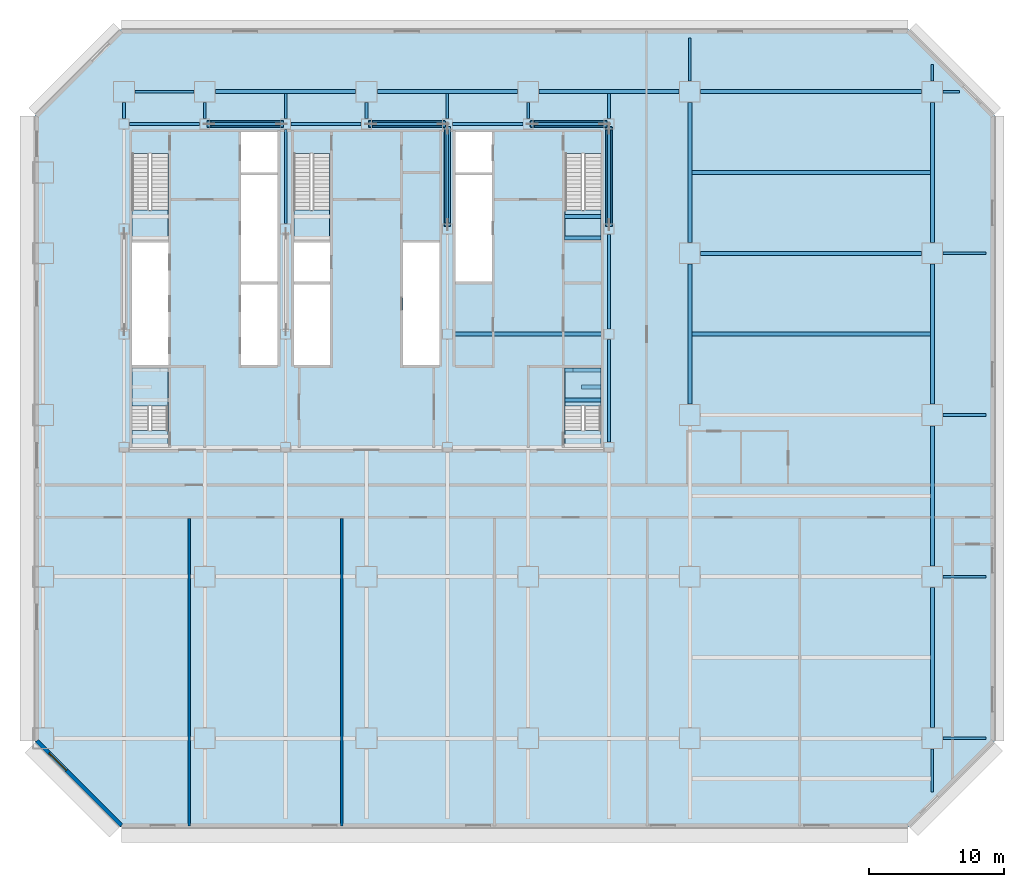
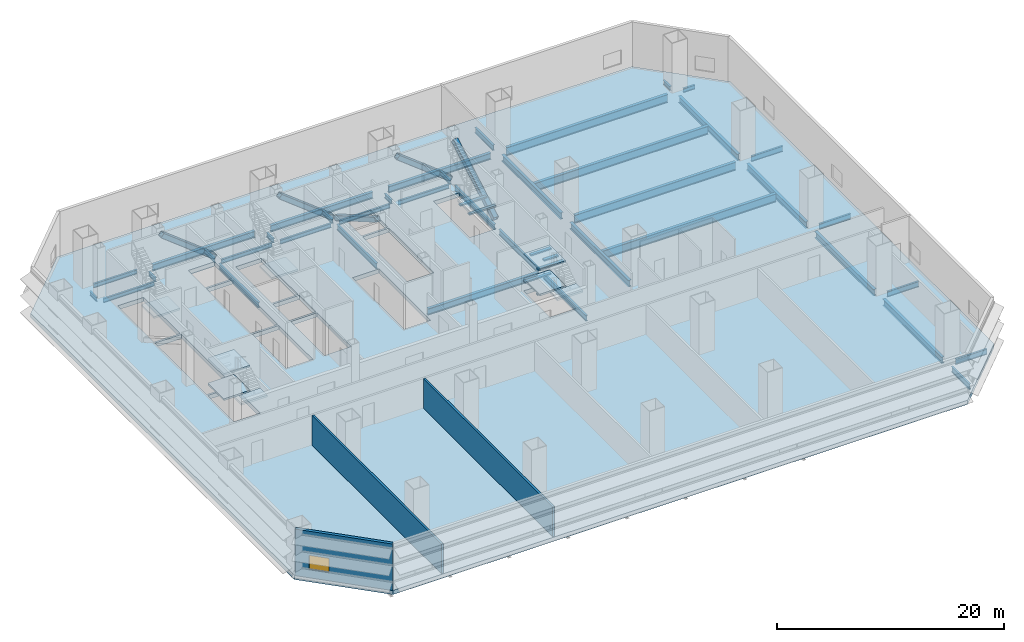
# One storey, part 2 of 10: 48 beams, 10 slabs, 5 members, 3 walls, 1 window, 1 opening, 5 elements without a shape of their own.
"""IFC4 building model written with IfcOpenShell, lengths in metres."""

from ifc_helpers import new_model, si_unit, direction, frame, frame_2d, origin, origin_2d, place, context, subcontext, project, spatial, polyline, rectangle, hollow_rectangle, i_section, outline, extrude, material, layer, layer_set, material_profile, profile_set, type_object, element, fill, aggregate, save


model = new_model("IFC4")

# Units and contexts
model_context = context("Model", 3, precision=1e-05, world=origin(), true_north=direction((0.0, 1.0)))
body_context = subcontext(model_context, "Body", "Model", "MODEL_VIEW")
ifc_project = project(units=[si_unit("LENGTHUNIT", "METRE"), si_unit("AREAUNIT", "SQUARE_METRE"), si_unit("VOLUMEUNIT", "CUBIC_METRE"), si_unit("PLANEANGLEUNIT", "RADIAN"), si_unit("MASSUNIT", "GRAM", prefix="KILO")], contexts=[model_context])

# Site, building, storey
site_placement = place(None, origin())
site = spatial("IfcSite", under=ifc_project, at=site_placement, CompositionType="ELEMENT")
building_placement = place(site_placement, origin())
building = spatial("IfcBuilding", under=site, at=building_placement, Name="Sorahane Residences", CompositionType="ELEMENT")
storey_placement = place(building_placement, frame((0.0, 0.0, 15.0)))
storey = spatial("IfcBuildingStorey", under=building, at=storey_placement, Name="L01", CompositionType="ELEMENT", Elevation=15.0)

# Members
ifc_material_1 = material(Name="Steel Q355B", Category="steel")
ifc_material_profile_1 = material_profile(ifc_material_1, hollow_rectangle(XDim=0.5, YDim=0.5, WallThickness=0.02490234375, InnerFilletRadius=0.012451171875, OuterFilletRadius=0.03759765625, at=origin_2d()), Name="RHS 500x500x25")
ifc_profile_set_1 = profile_set([ifc_material_profile_1], Name="Steel Q355B")
member_type = type_object("IfcMemberType", Name="Core brace RHS 500x500x25 Q355B", PredefinedType="BRACE", material=ifc_profile_set_1)
for number, where, z_axis, x_axis, name in (
    (1, (17.692138671875, 45.60009765625, 0.17822265625), (-0.788937896435, 0.0, 0.614472941283), (0.0, -1.0, 0.0), "Core brace L01 y45.6-2"),
    (2, (29.692138671875, 45.60009765625, 0.17822265625), (-0.788937896435, 0.0, 0.614472941283), (0.0, -1.0, 0.0), "Core brace L01 y45.6-4"),
    (3, (41.692138671875, 45.60009765625, 0.17822265625), (-0.788937896435, 0.0, 0.614472941283), (0.0, -1.0, 0.0), "Core brace L01 y45.6-6"),
):
    element("IfcMember", number, at=place(storey_placement, frame(where, z_axis=z_axis, x_axis=x_axis)), inside=storey, type_object=member_type, Name=name, PredefinedType="BRACE", context=body_context, shape_type="SweptSolid", body=[
        extrude(hollow_rectangle(XDim=0.5, YDim=0.5, WallThickness=0.02490234375, InnerFilletRadius=0.012451171875, OuterFilletRadius=0.03759765625, at=origin_2d()), origin(), (0.0, 0.0, 1.0), 6.82470703125),
    ])
for number, where, z_axis, x_axis, name in (
    (4, (42.0, 38.125, 0.20654296875), (0.0, 0.865562498481, 0.500800919751), (-1.0, 0.0, 0.0), "Core brace L01 x42-3"),
    (5, (30.0, 45.275146484375, 0.20654296875), (0.0, -0.865562498481, 0.500800919751), (1.0, 0.0, 0.0), "Core brace L01 x30-2"),
):
    element("IfcMember", number, at=place(storey_placement, frame(where, z_axis=z_axis, x_axis=x_axis)), inside=storey, type_object=member_type, Name=name, PredefinedType="BRACE", context=body_context, shape_type="SweptSolid", body=[
        extrude(hollow_rectangle(XDim=0.5, YDim=0.5, WallThickness=0.02490234375, InnerFilletRadius=0.012451171875, OuterFilletRadius=0.03759765625, at=origin_2d()), origin(), (0.0, 0.0, 1.0), 8.2607421875),
    ])

# Beams
ifc_material_2 = material(Name="Concrete C40", Category="concrete")
ifc_material_profile_2 = material_profile(ifc_material_2, rectangle(XDim=0.300048828125, YDim=0.139892578125, at=origin_2d()), Name="300x140")
ifc_profile_set_2 = profile_set([ifc_material_profile_2], Name="Concrete C40")
beam_type_1 = type_object("IfcBeamType", Name="RC landing beam 300 x 140 Concrete C40", PredefinedType="BEAM", material=ifc_profile_set_2)
for number, where, z_axis, x_axis, name in (
    (6, (38.699951171875, 37.14990234375, 2.429931640625), (1.0, 0.0, 0.0), (0.0, 1.0, 0.0), "Landing beam"),
    (7, (38.699951171875, 38.75, 2.429931640625), (1.0, 0.0, 0.0), (0.0, 1.0, 0.0), "Landing beam"),
    (8, (38.699951171875, 25.1201171875, 1.080078125), (1.0, 0.0, 0.0), (0.0, 1.0, 0.0), "Landing beam"),
    (9, (38.699951171875, 27.35009765625, 1.080078125), (1.0, 0.0, 0.0), (0.0, 1.0, 0.0), "Landing beam"),
):
    element("IfcBeam", number, at=place(storey_placement, frame(where, z_axis=z_axis, x_axis=x_axis)), inside=storey, type_object=beam_type_1, Name=name, PredefinedType="BEAM", context=body_context, shape_type="SweptSolid", body=[
        extrude(rectangle(XDim=0.300048828125, YDim=0.139892578125, at=origin_2d()), origin(), (0.0, 0.0, 1.0), 2.699951171875),
    ])
beam_1_placement = place(storey_placement, frame((41.39990234375, 25.1201171875, 3.780029296875), z_axis=(-1.0, 0.0, 0.0), x_axis=(0.0, -1.0, 0.0)))
element("IfcBeam", 10, at=beam_1_placement, inside=storey, type_object=beam_type_1, Name="Landing beam", PredefinedType="BEAM", context=body_context, shape_type="SweptSolid", body=[
    extrude(rectangle(XDim=0.300048828125, YDim=0.139892578125, at=origin_2d()), origin(), (0.0, 0.0, 1.0), 2.64990234375),
])
beam_2_placement = place(storey_placement, frame((41.39990234375, 27.35009765625, 3.780029296875), z_axis=(-1.0, 0.0, 0.0), x_axis=(0.0, -1.0, 0.0)))
element("IfcBeam", 11, at=beam_2_placement, inside=storey, type_object=beam_type_1, Name="Landing beam", PredefinedType="BEAM", context=body_context, shape_type="SweptSolid", body=[
    extrude(rectangle(XDim=0.300048828125, YDim=0.139892578125, at=origin_2d()), origin(), (0.0, 0.0, 1.0), 2.06689453125),
])
beam_3_placement = place(storey_placement, frame((41.39990234375, 26.0849609375, 3.780029296875), z_axis=(-1.0, 0.0, 0.0), x_axis=(0.0, -1.0, 0.0)))
element("IfcBeam", 12, at=beam_3_placement, inside=storey, type_object=beam_type_1, Name="Landing beam", PredefinedType="BEAM", context=body_context, shape_type="SweptSolid", body=[
    extrude(rectangle(XDim=0.300048828125, YDim=0.139892578125, at=origin_2d()), origin(), (0.0, 0.0, 1.0), 1.45751953125),
])
ifc_material_3 = material(Name="Steel Q355B", Category="steel")
ifc_material_profile_3 = material_profile(ifc_material_3, i_section(OverallWidth=0.199951171875, OverallDepth=0.449951171875, WebThickness=0.009033203125, FlangeThickness=0.013916015625, FilletRadius=0.02001953125, at=origin_2d()), Name="HN 450x200x9x14")
ifc_profile_set_3 = profile_set([ifc_material_profile_3], Name="Steel Q355B")
beam_type_2 = type_object("IfcBeamType", Name="Steel floor beam HN 450x200x9x14 Q355B", PredefinedType="BEAM", material=ifc_profile_set_3)
beam_4_placement = place(storey_placement, frame((6.800048828125, 48.0, -0.675048828125), z_axis=(1.0, 0.0, 0.0), x_axis=(0.0, 1.0, 0.0)))
element("IfcBeam", 13, at=beam_4_placement, inside=storey, type_object=beam_type_2, Name="Beam L01 016", PredefinedType="BEAM", context=body_context, shape_type="SweptSolid", body=[
    extrude(i_section(OverallWidth=0.199951171875, OverallDepth=0.449951171875, WebThickness=0.009033203125, FlangeThickness=0.013916015625, FilletRadius=0.02001953125, at=origin_2d()), origin(), (0.0, 0.0, 1.0), 4.39990234375),
])
beam_5_placement = place(storey_placement, frame((66.800048828125, 48.0, -0.675048828125), z_axis=(1.0, 0.0, 0.0), x_axis=(0.0, 1.0, 0.0)))
element("IfcBeam", 14, at=beam_5_placement, inside=storey, type_object=beam_type_2, Name="Beam L01 021", PredefinedType="BEAM", context=body_context, shape_type="SweptSolid", body=[
    extrude(i_section(OverallWidth=0.199951171875, OverallDepth=0.449951171875, WebThickness=0.009033203125, FlangeThickness=0.013916015625, FilletRadius=0.02001953125, at=origin_2d()), origin(), (0.0, 0.0, 1.0), 1.199951171875),
])
for number, where, z_axis, x_axis, name in (
    (15, (6.39990234375, 45.60009765625, -0.675048828125), (1.0, 0.0, 0.0), (0.0, 1.0, 0.0), "Beam L01 026"),
    (16, (12.39990234375, 45.60009765625, -0.675048828125), (1.0, 0.0, 0.0), (0.0, 1.0, 0.0), "Beam L01 027"),
    (17, (18.39990234375, 45.60009765625, -0.675048828125), (1.0, 0.0, 0.0), (0.0, 1.0, 0.0), "Beam L01 028"),
    (18, (24.39990234375, 45.60009765625, -0.675048828125), (1.0, 0.0, 0.0), (0.0, 1.0, 0.0), "Beam L01 029"),
    (19, (30.39990234375, 45.60009765625, -0.675048828125), (1.0, 0.0, 0.0), (0.0, 1.0, 0.0), "Beam L01 030"),
    (20, (36.39990234375, 45.60009765625, -0.675048828125), (1.0, 0.0, 0.0), (0.0, 1.0, 0.0), "Beam L01 031"),
):
    element("IfcBeam", number, at=place(storey_placement, frame(where, z_axis=z_axis, x_axis=x_axis)), inside=storey, type_object=beam_type_2, Name=name, PredefinedType="BEAM", context=body_context, shape_type="SweptSolid", body=[
        extrude(i_section(OverallWidth=0.199951171875, OverallDepth=0.449951171875, WebThickness=0.009033203125, FlangeThickness=0.013916015625, FilletRadius=0.02001953125, at=origin_2d()), origin(), (0.0, 0.0, 1.0), 5.2001953125),
    ])
for number, where, z_axis, x_axis, name in (
    (21, (12.0, 46.0, -0.675048828125), (0.0, 1.0, 0.0), (-1.0, 0.0, 0.0), "Beam L01 038"),
    (22, (24.0, 46.0, -0.675048828125), (0.0, 1.0, 0.0), (-1.0, 0.0, 0.0), "Beam L01 042"),
    (23, (36.0, 46.0, -0.675048828125), (0.0, 1.0, 0.0), (-1.0, 0.0, 0.0), "Beam L01 046"),
    (24, (66.0, 48.800048828125, -0.675048828125), (0.0, 1.0, 0.0), (-1.0, 0.0, 0.0), "Beam L01 059"),
    (25, (6.0, 46.0, -0.675048828125), (0.0, 1.0, 0.0), (-1.0, 0.0, 0.0), "Beam L01 065"),
):
    element("IfcBeam", number, at=place(storey_placement, frame(where, z_axis=z_axis, x_axis=x_axis)), inside=storey, type_object=beam_type_2, Name=name, PredefinedType="BEAM", context=body_context, shape_type="SweptSolid", body=[
        extrude(i_section(OverallWidth=0.199951171875, OverallDepth=0.449951171875, WebThickness=0.009033203125, FlangeThickness=0.013916015625, FilletRadius=0.02001953125, at=origin_2d()), origin(), (0.0, 0.0, 1.0), 1.199951171875),
    ])
for number, where, z_axis, x_axis, name in (
    (26, (18.0, 46.0, -0.675048828125), (0.0, 1.0, 0.0), (-1.0, 0.0, 0.0), "Beam L01 072"),
    (27, (30.0, 46.0, -0.675048828125), (0.0, 1.0, 0.0), (-1.0, 0.0, 0.0), "Beam L01 079"),
    (28, (42.0, 46.0, -0.675048828125), (0.0, 1.0, 0.0), (-1.0, 0.0, 0.0), "Beam L01 086"),
):
    element("IfcBeam", number, at=place(storey_placement, frame(where, z_axis=z_axis, x_axis=x_axis)), inside=storey, type_object=beam_type_2, Name=name, PredefinedType="BEAM", context=body_context, shape_type="SweptSolid", body=[
        extrude(i_section(OverallWidth=0.199951171875, OverallDepth=0.449951171875, WebThickness=0.009033203125, FlangeThickness=0.013916015625, FilletRadius=0.02001953125, at=origin_2d()), origin(), (0.0, 0.0, 1.0), 1.85009765625),
    ])
ifc_material_4 = material(Name="Steel Q355B", Category="steel")
ifc_material_profile_4 = material_profile(ifc_material_4, i_section(OverallWidth=0.199951171875, OverallDepth=0.60009765625, WebThickness=0.010986328125, FlangeThickness=0.01708984375, FilletRadius=0.02392578125, at=origin_2d()), Name="HN 600x200x11x17")
ifc_profile_set_4 = profile_set([ifc_material_profile_4], Name="Steel Q355B")
beam_type_3 = type_object("IfcBeamType", Name="Steel floor beam HN 600x200x11x17 Q355B", PredefinedType="BEAM", material=ifc_profile_set_4)
for number, where, z_axis, x_axis, name in (
    (29, (66.800048828125, 0.0, -0.75), (1.0, 0.0, 0.0), (0.0, 1.0, 0.0), "Beam L01 005"),
    (30, (66.800048828125, 12.0, -0.75), (1.0, 0.0, 0.0), (0.0, 1.0, 0.0), "Beam L01 011"),
    (31, (66.800048828125, 24.0, -0.75), (1.0, 0.0, 0.0), (0.0, 1.0, 0.0), "Beam L01 013"),
    (32, (66.800048828125, 36.0, -0.75), (1.0, 0.0, 0.0), (0.0, 1.0, 0.0), "Beam L01 015"),
    (33, (48.0, 48.800048828125, -0.75), (0.0, 1.0, 0.0), (-1.0, 0.0, 0.0), "Beam L01 053"),
    (34, (66.0, -4.0, -0.75), (0.0, 1.0, 0.0), (-1.0, 0.0, 0.0), "Beam L01 058"),
):
    element("IfcBeam", number, at=place(storey_placement, frame(where, z_axis=z_axis, x_axis=x_axis)), inside=storey, type_object=beam_type_3, Name=name, PredefinedType="BEAM", context=body_context, shape_type="SweptSolid", body=[
        extrude(i_section(OverallWidth=0.199951171875, OverallDepth=0.60009765625, WebThickness=0.010986328125, FlangeThickness=0.01708984375, FilletRadius=0.02392578125, at=origin_2d()), origin(), (0.0, 0.0, 1.0), 3.199951171875),
    ])
for number, where, z_axis, x_axis, name in (
    (35, (18.0, 38.199951171875, -0.75), (0.0, 1.0, 0.0), (-1.0, 0.0, 0.0), "Beam L01 071"),
    (36, (30.0, 38.199951171875, -0.75), (0.0, 1.0, 0.0), (-1.0, 0.0, 0.0), "Beam L01 078"),
):
    element("IfcBeam", number, at=place(storey_placement, frame(where, z_axis=z_axis, x_axis=x_axis)), inside=storey, type_object=beam_type_3, Name=name, PredefinedType="BEAM", context=body_context, shape_type="SweptSolid", body=[
        extrude(i_section(OverallWidth=0.199951171875, OverallDepth=0.60009765625, WebThickness=0.010986328125, FlangeThickness=0.01708984375, FilletRadius=0.02392578125, at=origin_2d()), origin(), (0.0, 0.0, 1.0), 7.0),
    ])
beam_6_placement = place(storey_placement, frame((42.0, 22.0, -0.75), z_axis=(0.0, 1.0, 0.0), x_axis=(-1.0, 0.0, 0.0)))
element("IfcBeam", 37, at=beam_6_placement, inside=storey, type_object=beam_type_3, Name="Beam L01 083", PredefinedType="BEAM", context=body_context, shape_type="SweptSolid", body=[
    extrude(i_section(OverallWidth=0.199951171875, OverallDepth=0.60009765625, WebThickness=0.010986328125, FlangeThickness=0.01708984375, FilletRadius=0.02392578125, at=origin_2d()), origin(), (0.0, 0.0, 1.0), 7.60009765625),
])
for number, where, z_axis, x_axis, name in (
    (38, (42.0, 30.39990234375, -0.75), (0.0, 1.0, 0.0), (-1.0, 0.0, 0.0), "Beam L01 084"),
    (39, (42.0, 38.199951171875, -0.75), (0.0, 1.0, 0.0), (-1.0, 0.0, 0.0), "Beam L01 085"),
):
    element("IfcBeam", number, at=place(storey_placement, frame(where, z_axis=z_axis, x_axis=x_axis)), inside=storey, type_object=beam_type_3, Name=name, PredefinedType="BEAM", context=body_context, shape_type="SweptSolid", body=[
        extrude(i_section(OverallWidth=0.199951171875, OverallDepth=0.60009765625, WebThickness=0.010986328125, FlangeThickness=0.01708984375, FilletRadius=0.02392578125, at=origin_2d()), origin(), (0.0, 0.0, 1.0), 7.0),
    ])
ifc_material_5 = material(Name="Steel Q355B", Category="steel")
ifc_material_profile_5 = material_profile(ifc_material_5, i_section(OverallWidth=0.300048828125, OverallDepth=0.699951171875, WebThickness=0.012939453125, FlangeThickness=0.02392578125, FilletRadius=0.028076171875, at=origin_2d()), Name="HN 700x300x13x24")
ifc_profile_set_5 = profile_set([ifc_material_profile_5], Name="Steel Q355B")
beam_type_4 = type_object("IfcBeamType", Name="Steel floor beam HN 700x300x13x24 Q355B", PredefinedType="BEAM", material=ifc_profile_set_5)
for number, where, z_axis, x_axis, name in (
    (40, (12.800048828125, 48.0, -0.800048828125), (1.0, 0.0, 0.0), (0.0, 1.0, 0.0), "Beam L01 017"),
    (41, (24.800048828125, 48.0, -0.800048828125), (1.0, 0.0, 0.0), (0.0, 1.0, 0.0), "Beam L01 018"),
    (42, (36.800048828125, 48.0, -0.800048828125), (1.0, 0.0, 0.0), (0.0, 1.0, 0.0), "Beam L01 019"),
):
    element("IfcBeam", number, at=place(storey_placement, frame(where, z_axis=z_axis, x_axis=x_axis)), inside=storey, type_object=beam_type_4, Name=name, PredefinedType="BEAM", context=body_context, shape_type="SweptSolid", body=[
        extrude(i_section(OverallWidth=0.300048828125, OverallDepth=0.699951171875, WebThickness=0.012939453125, FlangeThickness=0.02392578125, FilletRadius=0.028076171875, at=origin_2d()), origin(), (0.0, 0.0, 1.0), 10.39990234375),
    ])
beam_7_placement = place(storey_placement, frame((30.39990234375, 30.0, -0.800048828125), z_axis=(1.0, 0.0, 0.0), x_axis=(0.0, 1.0, 0.0)))
element("IfcBeam", 43, at=beam_7_placement, inside=storey, type_object=beam_type_4, Name="Beam L01 025", PredefinedType="BEAM", context=body_context, shape_type="SweptSolid", body=[
    extrude(i_section(OverallWidth=0.300048828125, OverallDepth=0.699951171875, WebThickness=0.012939453125, FlangeThickness=0.02392578125, FilletRadius=0.028076171875, at=origin_2d()), origin(), (0.0, 0.0, 1.0), 11.2001953125),
])
for number, where, z_axis, x_axis, name in (
    (44, (48.0, 24.800048828125, -0.800048828125), (0.0, 1.0, 0.0), (-1.0, 0.0, 0.0), "Beam L01 050"),
    (45, (48.0, 36.800048828125, -0.800048828125), (0.0, 1.0, 0.0), (-1.0, 0.0, 0.0), "Beam L01 051"),
    (46, (66.0, 0.800048828125, -0.800048828125), (0.0, 1.0, 0.0), (-1.0, 0.0, 0.0), "Beam L01 054"),
    (47, (66.0, 12.800048828125, -0.800048828125), (0.0, 1.0, 0.0), (-1.0, 0.0, 0.0), "Beam L01 055"),
    (48, (66.0, 24.800048828125, -0.800048828125), (0.0, 1.0, 0.0), (-1.0, 0.0, 0.0), "Beam L01 056"),
    (49, (66.0, 36.800048828125, -0.800048828125), (0.0, 1.0, 0.0), (-1.0, 0.0, 0.0), "Beam L01 057"),
):
    element("IfcBeam", number, at=place(storey_placement, frame(where, z_axis=z_axis, x_axis=x_axis)), inside=storey, type_object=beam_type_4, Name=name, PredefinedType="BEAM", context=body_context, shape_type="SweptSolid", body=[
        extrude(i_section(OverallWidth=0.300048828125, OverallDepth=0.699951171875, WebThickness=0.012939453125, FlangeThickness=0.02392578125, FilletRadius=0.028076171875, at=origin_2d()), origin(), (0.0, 0.0, 1.0), 10.39990234375),
    ])
ifc_material_6 = material(Name="Steel Q355B", Category="steel")
ifc_material_profile_6 = material_profile(ifc_material_6, i_section(OverallWidth=0.300048828125, OverallDepth=0.89990234375, WebThickness=0.01611328125, FlangeThickness=0.028076171875, FilletRadius=0.028076171875, at=origin_2d()), Name="HN 900x300x16x28")
ifc_profile_set_6 = profile_set([ifc_material_profile_6], Name="Steel Q355B")
beam_type_5 = type_object("IfcBeamType", Name="Steel floor beam HN 900x300x16x28 Q355B", PredefinedType="BEAM", material=ifc_profile_set_6)
for number, where, z_axis, x_axis, name in (
    (50, (48.800048828125, 36.0, -0.89990234375), (1.0, 0.0, 0.0), (0.0, 1.0, 0.0), "Beam L01 014"),
    (51, (48.800048828125, 48.0, -0.89990234375), (1.0, 0.0, 0.0), (0.0, 1.0, 0.0), "Beam L01 020"),
):
    element("IfcBeam", number, at=place(storey_placement, frame(where, z_axis=z_axis, x_axis=x_axis)), inside=storey, type_object=beam_type_5, Name=name, PredefinedType="BEAM", context=body_context, shape_type="SweptSolid", body=[
        extrude(i_section(OverallWidth=0.300048828125, OverallDepth=0.89990234375, WebThickness=0.01611328125, FlangeThickness=0.028076171875, FilletRadius=0.028076171875, at=origin_2d()), origin(), (0.0, 0.0, 1.0), 16.39990234375),
    ])
for number, where, z_axis, x_axis, name in (
    (52, (48.150146484375, 30.0, -0.89990234375), (1.0, 0.0, 0.0), (0.0, 1.0, 0.0), "Beam L01 091"),
    (53, (48.150146484375, 42.0, -0.89990234375), (1.0, 0.0, 0.0), (0.0, 1.0, 0.0), "Beam L01 092"),
):
    element("IfcBeam", number, at=place(storey_placement, frame(where, z_axis=z_axis, x_axis=x_axis)), inside=storey, type_object=beam_type_5, Name=name, PredefinedType="BEAM", context=body_context, shape_type="SweptSolid", body=[
        extrude(i_section(OverallWidth=0.300048828125, OverallDepth=0.89990234375, WebThickness=0.01611328125, FlangeThickness=0.028076171875, FilletRadius=0.028076171875, at=origin_2d()), origin(), (0.0, 0.0, 1.0), 17.69970703125),
    ])

# Slab
ifc_material_7 = material(Name="Concrete C40", Category="concrete")
ifc_layer_1 = layer(ifc_material_7, 0.449951171875)
ifc_layer_set_1 = layer_set([ifc_layer_1], Name="Reinforced concrete floor slab 450 mm Concrete C40")
slab_type_1 = type_object("IfcSlabType", Name="Reinforced concrete floor slab 450 mm Concrete C40", PredefinedType="FLOOR", material=ifc_layer_set_1)
slab_1_placement = place(storey_placement, frame((0.0, 0.0, -0.449951171875)))
element("IfcSlab", 54, at=slab_1_placement, inside=storey, type_object=slab_type_1, Name="Slab L01", PredefinedType="FLOOR", context=body_context, shape_type="SweptSolid", body=[
    extrude(outline(polyline([(5.75146484375, -6.60009765625), (-0.60009765625, -0.24853515625), (-0.60009765625, 46.24853515625), (5.75146484375, 52.60009765625), (64.24853515625, 52.60009765625), (70.60009765625, 46.24853515625), (70.60009765625, -0.24853515625), (64.24853515625, -6.60009765625), (5.75146484375, -6.60009765625)]), holes=[polyline([(18.60009765625, 27.699951171875), (21.300048828125, 27.699951171875), (21.300048828125, 33.699951171875), (18.60009765625, 33.699951171875), (18.60009765625, 27.699951171875)]), polyline([(30.60009765625, 42.0), (33.300048828125, 42.0), (33.300048828125, 45.0), (30.60009765625, 45.0), (30.60009765625, 42.0)]), polyline([(14.699951171875, 27.699951171875), (17.39990234375, 27.699951171875), (17.39990234375, 33.699951171875), (14.699951171875, 33.699951171875), (14.699951171875, 27.699951171875)]), polyline([(14.699951171875, 42.0), (17.39990234375, 42.0), (17.39990234375, 45.0), (14.699951171875, 45.0), (14.699951171875, 42.0)]), polyline([(6.60009765625, 27.699951171875), (9.300048828125, 27.699951171875), (9.300048828125, 36.800048828125), (6.60009765625, 36.800048828125), (6.60009765625, 27.699951171875)]), polyline([(6.60009765625, 43.39990234375), (6.60009765625, 37.0), (9.25, 37.0), (9.25, 43.39990234375), (6.60009765625, 43.39990234375)]), polyline([(38.75, 43.39990234375), (38.75, 37.0), (41.39990234375, 37.0), (41.39990234375, 43.39990234375), (38.75, 43.39990234375)]), polyline([(18.60009765625, 43.39990234375), (18.60009765625, 37.0), (21.25, 37.0), (21.25, 43.39990234375), (18.60009765625, 43.39990234375)]), polyline([(9.25, 22.85009765625), (9.25, 27.5), (6.60009765625, 27.5), (6.60009765625, 22.85009765625), (9.25, 22.85009765625)]), polyline([(41.39990234375, 22.85009765625), (41.39990234375, 27.5), (38.75, 27.5), (38.75, 22.85009765625), (41.39990234375, 22.85009765625)]), polyline([(14.699951171875, 33.89990234375), (17.39990234375, 33.89990234375), (17.39990234375, 41.800048828125), (14.699951171875, 41.800048828125), (14.699951171875, 33.89990234375)]), polyline([(30.60009765625, 33.89990234375), (33.300048828125, 33.89990234375), (33.300048828125, 41.800048828125), (30.60009765625, 41.800048828125), (30.60009765625, 33.89990234375)]), polyline([(18.60009765625, 33.89990234375), (21.300048828125, 33.89990234375), (21.300048828125, 36.800048828125), (18.60009765625, 36.800048828125), (18.60009765625, 33.89990234375)]), polyline([(26.699951171875, 27.699951171875), (29.39990234375, 27.699951171875), (29.39990234375, 36.800048828125), (26.699951171875, 36.800048828125), (26.699951171875, 27.699951171875)])]), origin(), (0.0, 0.0, 1.0), 0.449951171875),
])

# Stair, slab
ifc_material_8 = material(Name="Concrete C40", Category="concrete")
stair_type = type_object("IfcStairType", Name="Dog-leg stair 1250 Concrete C40", PredefinedType="HALF_TURN_STAIR", material=ifc_material_8)
stair_1_placement = place(storey_placement, origin())
stair_1 = element("IfcStair", 55, at=stair_1_placement, inside=storey, type_object=stair_type, Name="L01 Stair S1", PredefinedType="HALF_TURN_STAIR")
ifc_material_9 = material(Name="Concrete C40", Category="concrete")
ifc_layer_2 = layer(ifc_material_9, 0.199951171875)
ifc_layer_set_2 = layer_set([ifc_layer_2], Name="Stair landing 200 Concrete C40")
slab_type_2 = type_object("IfcSlabType", Name="Stair landing 200 Concrete C40", PredefinedType="LANDING", material=ifc_layer_set_2)
slab_2_placement = place(storey_placement, frame((0.0, 0.0, 2.5)))
slab_2 = element("IfcSlab", 56, at=slab_2_placement, type_object=slab_type_2, Name="S1 landing 1", PredefinedType="LANDING", context=body_context, shape_type="SweptSolid", body=[
    extrude(outline(polyline([(6.60009765625, 39.199951171875), (6.60009765625, 37.0), (9.25, 37.0), (9.25, 39.199951171875), (6.60009765625, 39.199951171875)])), origin(), (0.0, 0.0, 1.0), 0.199951171875),
])
aggregate(stair_1, [slab_2])

stair_2_placement = place(storey_placement, origin())
stair_2 = element("IfcStair", 57, at=stair_2_placement, inside=storey, type_object=stair_type, Name="L01 Stair S2", PredefinedType="HALF_TURN_STAIR")
slab_3_placement = place(storey_placement, frame((0.0, 0.0, 2.5)))
slab_3 = element("IfcSlab", 58, at=slab_3_placement, type_object=slab_type_2, Name="S2 landing 1", PredefinedType="LANDING", context=body_context, shape_type="SweptSolid", body=[
    extrude(outline(polyline([(38.75, 39.199951171875), (38.75, 37.0), (41.39990234375, 37.0), (41.39990234375, 39.199951171875), (38.75, 39.199951171875)])), origin(), (0.0, 0.0, 1.0), 0.199951171875),
])
aggregate(stair_2, [slab_3])

stair_3_placement = place(storey_placement, origin())
stair_3 = element("IfcStair", 59, at=stair_3_placement, inside=storey, type_object=stair_type, Name="L01 Stair S3", PredefinedType="HALF_TURN_STAIR")
slab_4_placement = place(storey_placement, frame((0.0, 0.0, 2.5)))
slab_4 = element("IfcSlab", 60, at=slab_4_placement, type_object=slab_type_2, Name="S3 landing 1", PredefinedType="LANDING", context=body_context, shape_type="SweptSolid", body=[
    extrude(outline(polyline([(18.60009765625, 39.199951171875), (18.60009765625, 37.0), (21.25, 37.0), (21.25, 39.199951171875), (18.60009765625, 39.199951171875)])), origin(), (0.0, 0.0, 1.0), 0.199951171875),
])
aggregate(stair_3, [slab_4])

# Stair, slabs
stair_4_placement = place(storey_placement, origin())
stair_4 = element("IfcStair", 61, at=stair_4_placement, inside=storey, type_object=stair_type, Name="L01 Stair S4", PredefinedType="HALF_TURN_STAIR")
slab_5_placement = place(storey_placement, frame((0.0, 0.0, 1.14990234375)))
slab_5 = element("IfcSlab", 62, at=slab_5_placement, type_object=slab_type_2, Name="S4 landing 1", PredefinedType="LANDING", context=body_context, shape_type="SweptSolid", body=[
    extrude(outline(polyline([(9.25, 24.669921875), (9.25, 27.5), (6.60009765625, 27.5), (6.60009765625, 24.669921875), (9.25, 24.669921875)])), origin(), (0.0, 0.0, 1.0), 0.2001953125),
])
slab_6_placement = place(storey_placement, frame((0.0, 0.0, 2.5)))
slab_6 = element("IfcSlab", 63, at=slab_6_placement, type_object=slab_type_2, Name="S4 landing 2", PredefinedType="LANDING", context=body_context, shape_type="SweptSolid", body=[
    extrude(outline(polyline([(9.25, 21.60009765625), (9.25, 22.85009765625), (6.60009765625, 22.85009765625), (6.60009765625, 21.60009765625), (9.25, 21.60009765625)])), origin(), (0.0, 0.0, 1.0), 0.199951171875),
])
slab_7_placement = place(storey_placement, frame((0.0, 0.0, 3.85009765625)))
slab_7 = element("IfcSlab", 64, at=slab_7_placement, type_object=slab_type_2, Name="S4 landing 3", PredefinedType="LANDING", context=body_context, shape_type="SweptSolid", body=[
    extrude(outline(polyline([(9.25, 24.669921875), (9.25, 27.5), (6.60009765625, 27.5), (6.60009765625, 24.669921875), (9.25, 24.669921875)])), origin(), (0.0, 0.0, 1.0), 0.199951171875),
])
aggregate(stair_4, [slab_5, slab_6, slab_7])

stair_5_placement = place(storey_placement, origin())
stair_5 = element("IfcStair", 65, at=stair_5_placement, inside=storey, type_object=stair_type, Name="L01 Stair S5", PredefinedType="HALF_TURN_STAIR")
slab_8_placement = place(storey_placement, frame((0.0, 0.0, 1.14990234375)))
slab_8 = element("IfcSlab", 66, at=slab_8_placement, type_object=slab_type_2, Name="S5 landing 1", PredefinedType="LANDING", context=body_context, shape_type="SweptSolid", body=[
    extrude(outline(polyline([(41.39990234375, 24.669921875), (41.39990234375, 27.5), (38.75, 27.5), (38.75, 24.669921875), (41.39990234375, 24.669921875)])), origin(), (0.0, 0.0, 1.0), 0.2001953125),
])
slab_9_placement = place(storey_placement, frame((0.0, 0.0, 2.5)))
slab_9 = element("IfcSlab", 67, at=slab_9_placement, type_object=slab_type_2, Name="S5 landing 2", PredefinedType="LANDING", context=body_context, shape_type="SweptSolid", body=[
    extrude(outline(polyline([(41.39990234375, 21.60009765625), (41.39990234375, 22.85009765625), (38.75, 22.85009765625), (38.75, 21.60009765625), (41.39990234375, 21.60009765625)])), origin(), (0.0, 0.0, 1.0), 0.199951171875),
])
slab_10_placement = place(storey_placement, frame((0.0, 0.0, 3.85009765625)))
slab_10 = element("IfcSlab", 68, at=slab_10_placement, type_object=slab_type_2, Name="S5 landing 3", PredefinedType="LANDING", context=body_context, shape_type="SweptSolid", body=[
    extrude(outline(polyline([(41.39990234375, 24.669921875), (41.39990234375, 27.5), (38.75, 27.5), (38.75, 24.669921875), (41.39990234375, 24.669921875)])), origin(), (0.0, 0.0, 1.0), 0.199951171875),
])
aggregate(stair_5, [slab_8, slab_9, slab_10])

# Wall, opening, window
ifc_material_10 = material(Name="Graphite insulated metal-clad wall")
ifc_layer_3 = layer(ifc_material_10, 0.300048828125)
ifc_layer_set_3 = layer_set([ifc_layer_3], Name="External wall insulated metal-clad 300")
wall_type_1 = type_object("IfcWallType", Name="External wall insulated metal-clad 300", PredefinedType="SOLIDWALL", material=ifc_layer_set_3)
wall_placement = place(storey_placement, frame((-0.469970703125, -0.194580078125, 0.0), z_axis=(0.0, 0.0, 1.0), x_axis=(0.707106781187, -0.707106781187, 0.0)))
wall = element("IfcWall", 69, at=wall_placement, inside=storey, type_object=wall_type_1, Name="External plant wall L01 SW1", PredefinedType="SOLIDWALL", context=body_context, shape_type="SweptSolid", body=[
    extrude(rectangle(XDim=8.874755859375, YDim=0.300048828125, at=frame_2d((4.4375, 0.0))), origin(), (0.0, 0.0, 1.0), 5.0),
])
opening_placement = place(wall_placement, frame((1.291748046875, 0.0, 0.89990234375)))
opening = element("IfcOpeningElement", 70, at=opening_placement, cuts=wall, Name="Opening W-R1", PredefinedType="OPENING", context=body_context, shape_type="SweptSolid", body=[
    extrude(rectangle(XDim=1.800048828125, YDim=1.5, at=frame_2d((0.89990234375, 0.75))), frame((0.0, 0.159912109375, 0.0), z_axis=(0.0, -1.0, 0.0), x_axis=(1.0, 0.0, 0.0)), (0.0, 0.0, 1.0), 0.320068359375),
])
ifc_material_11 = material(Name="Dark aluminium and glass", Category="aluminium")
window_type = type_object("IfcWindowType", Name="Openable Class B fire window dark aluminium 1800x1500", PartitioningType="SINGLE_PANEL", PredefinedType="WINDOW", material=ifc_material_11)
window_placement = place(opening_placement, origin())
window = element("IfcWindow", 71, at=window_placement, inside=storey, type_object=window_type, Name="Openable fire window L01 SW1.1", OverallHeight=1.5, OverallWidth=1.800048828125, PartitioningType="SINGLE_PANEL", PredefinedType="WINDOW", context=body_context, shape_type="SweptSolid", body=[
    extrude(rectangle(XDim=1.800048828125, YDim=1.5, at=frame_2d((0.89990234375, 0.75))), frame((0.0, 0.030029296875, 0.0), z_axis=(0.0, -1.0, 0.0), x_axis=(1.0, 0.0, 0.0)), (0.0, 0.0, 1.0), 0.06005859375),
])
fill(opening, window)

# Walls
ifc_material_12 = material(Name="Concrete blockwork C20 wall", Category="masonry")
ifc_layer_4 = layer(ifc_material_12, 0.199951171875)
ifc_layer_set_4 = layer_set([ifc_layer_4], Name="Plant wall 200 EI 120")
wall_type_2 = type_object("IfcWallType", Name="Plant wall 200 EI 120", PredefinedType="SOLIDWALL", material=ifc_layer_set_4)
for number, where, z_axis, x_axis, name in (
    (72, (10.833251953125, -6.5, 0.0), (0.0, 0.0, 1.0), (0.0, 1.0, 0.0), "L01 plant wall"),
    (73, (22.166748046875, -6.5, 0.0), (0.0, 0.0, 1.0), (0.0, 1.0, 0.0), "L01 plant wall"),
):
    element("IfcWall", number, at=place(storey_placement, frame(where, z_axis=z_axis, x_axis=x_axis)), inside=storey, type_object=wall_type_2, Name=name, PredefinedType="SOLIDWALL", context=body_context, shape_type="SweptSolid", body=[
        extrude(rectangle(XDim=22.800048828125, YDim=0.199951171875, at=frame_2d((11.39990234375, 0.0))), origin(), (0.0, 0.0, 1.0), 3.199951171875),
    ])

save(model, "model.ifc")
